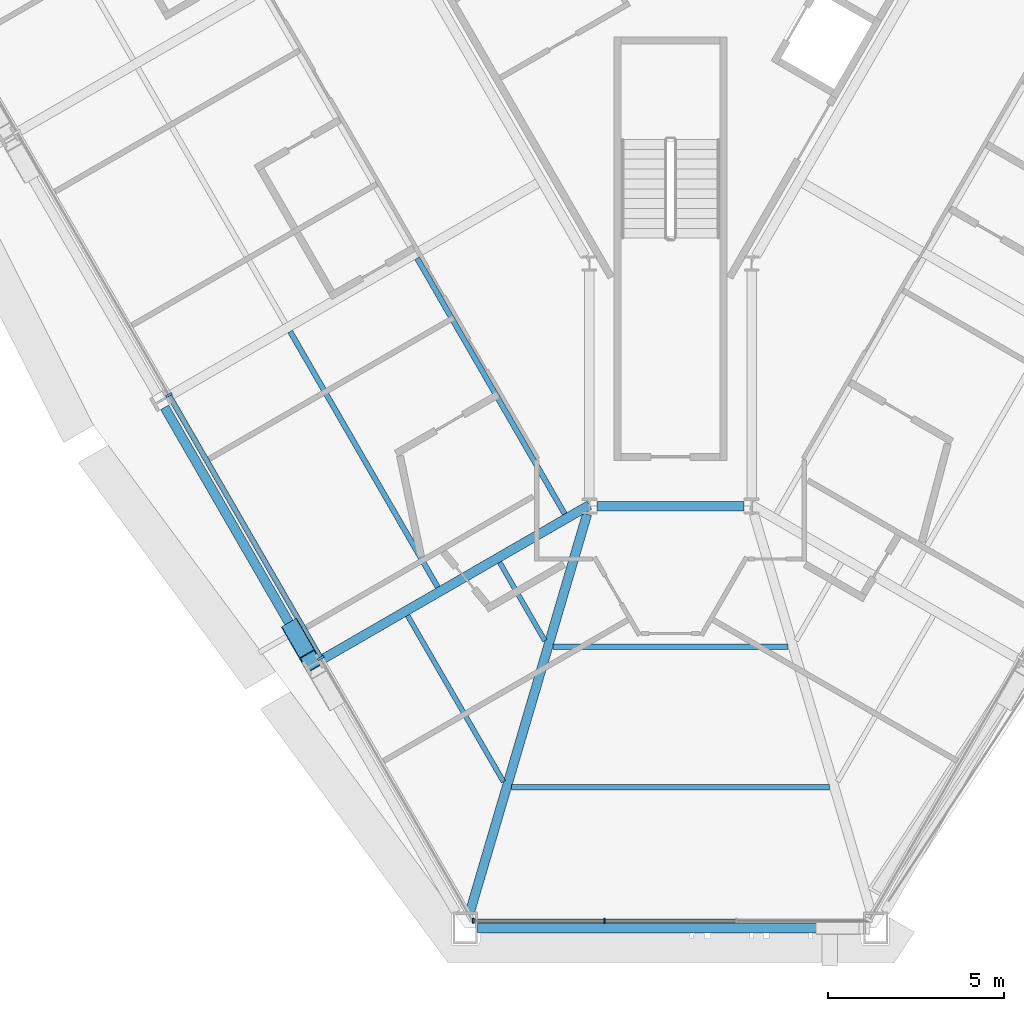
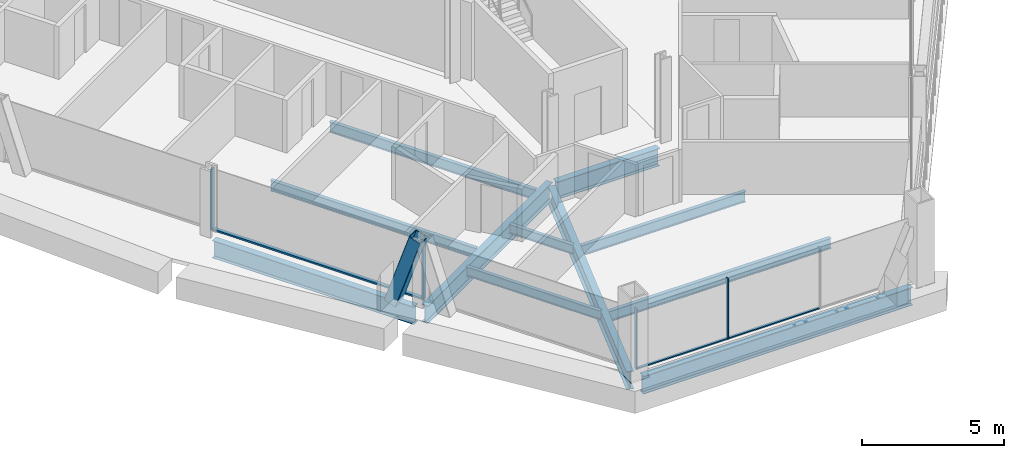
# One storey, part 3 of 18: 11 beams, 8 members, 2 elements without a shape of their own.
"""IFC4 building model written with IfcOpenShell, lengths in metres."""

from ifc_helpers import new_model, si_unit, direction, frame, origin, origin_2d, place, context, subcontext, project, spatial, rectangle, hollow_rectangle, i_section, extrude, material, material_profile, profile_set, type_object, element, aggregate, save


model = new_model("IFC4")

# Units and contexts
model_context = context("Model", 3, precision=1e-05, world=origin(), true_north=direction((0.0, 1.0)))
body_context = subcontext(model_context, "Body", "Model", "MODEL_VIEW")
ifc_project = project(units=[si_unit("LENGTHUNIT", "METRE"), si_unit("AREAUNIT", "SQUARE_METRE"), si_unit("VOLUMEUNIT", "CUBIC_METRE"), si_unit("PLANEANGLEUNIT", "RADIAN"), si_unit("MASSUNIT", "GRAM", prefix="KILO")], contexts=[model_context])

# Site, building, storey
site_placement = place(None, origin())
site = spatial("IfcSite", under=ifc_project, at=site_placement, CompositionType="ELEMENT")
building_placement = place(site_placement, origin())
building = spatial("IfcBuilding", under=site, at=building_placement, Name="Verrane Prism Tower", CompositionType="ELEMENT")
storey_placement = place(building_placement, frame((0.0, 0.0, 83.60009765625)))
storey = spatial("IfcBuildingStorey", under=building, at=storey_placement, Name="L19", CompositionType="ELEMENT", Elevation=83.60009765625)

# Beams
ifc_material_1 = material(Name="Steel A992", Category="steel")
ifc_material_profile_1 = material_profile(ifc_material_1, i_section(OverallWidth=0.2666015625, OverallDepth=0.76708984375, WebThickness=0.014892578125, FlangeThickness=0.023681640625, FilletRadius=0.0166015625, at=origin_2d()), Name="W30x124")
ifc_profile_set_1 = profile_set([ifc_material_profile_1], Name="Steel A992")
beam_type_1 = type_object("IfcBeamType", Name="Chamfer spandrel beam W30x124", PredefinedType="SPANDREL", material=ifc_profile_set_1)
beam_1_placement = place(storey_placement, frame((-5.469970703125, -33.260009765625, -0.543701171875), z_axis=(1.0, 0.0, 0.0), x_axis=(0.0, 1.0, 0.0)))
element("IfcBeam", 1, at=beam_1_placement, inside=storey, type_object=beam_type_1, Name="Chamfer spandrel beam L19", PredefinedType="SPANDREL", context=body_context, shape_type="SweptSolid", body=[
    extrude(i_section(OverallWidth=0.2666015625, OverallDepth=0.76708984375, WebThickness=0.014892578125, FlangeThickness=0.023681640625, FilletRadius=0.0166015625, at=origin_2d()), origin(), (0.0, 0.0, 1.0), 10.93994140625),
])
ifc_material_2 = material(Name="Steel A992", Category="steel")
ifc_material_profile_2 = material_profile(ifc_material_2, i_section(OverallWidth=0.2666015625, OverallDepth=0.7568359375, WebThickness=0.013916015625, FlangeThickness=0.019287109375, FilletRadius=0.0166015625, at=origin_2d()), Name="W30x108")
ifc_profile_set_2 = profile_set([ifc_material_profile_2], Name="Steel A992")
beam_type_2 = type_object("IfcBeamType", Name="Core ring girder W30x108", PredefinedType="BEAM", material=ifc_profile_set_2)
beam_2_placement = place(storey_placement, frame((-2.09033203125, -21.300048828125, -0.628662109375), z_axis=(1.0, 0.0, 0.0), x_axis=(0.0, 1.0, 0.0)))
element("IfcBeam", 2, at=beam_2_placement, inside=storey, type_object=beam_type_2, Name="Core ring girder L19", PredefinedType="BEAM", context=body_context, shape_type="SweptSolid", body=[
    extrude(i_section(OverallWidth=0.2666015625, OverallDepth=0.7568359375, WebThickness=0.013916015625, FlangeThickness=0.019287109375, FilletRadius=0.0166015625, at=origin_2d()), origin(), (0.0, 0.0, 1.0), 4.1806640625),
])
ifc_material_3 = material(Name="Steel A992", Category="steel")
ifc_material_profile_3 = material_profile(ifc_material_3, i_section(OverallWidth=0.2666015625, OverallDepth=0.76708984375, WebThickness=0.014892578125, FlangeThickness=0.023681640625, FilletRadius=0.0166015625, at=origin_2d()), Name="W30x124")
ifc_profile_set_3 = profile_set([ifc_material_profile_3], Name="Steel A992")
beam_type_3 = type_object("IfcBeamType", Name="Corner girder W30x124", PredefinedType="BEAM", material=ifc_profile_set_3)
beam_3_placement = place(storey_placement, frame((-5.6875, -32.809814453125, -0.603515625), z_axis=(0.282337147907, 0.959315242718, 0.0), x_axis=(-0.959315242718, 0.282337147907, 0.0)))
element("IfcBeam", 3, at=beam_3_placement, inside=storey, type_object=beam_type_3, Name="Corner girder L19", PredefinedType="BEAM", context=body_context, shape_type="SweptSolid", body=[
    extrude(i_section(OverallWidth=0.2666015625, OverallDepth=0.76708984375, WebThickness=0.014892578125, FlangeThickness=0.023681640625, FilletRadius=0.0166015625, at=origin_2d()), origin(), (0.0, 0.0, 1.0), 11.760986328125),
])

# Member
ifc_material_4 = material(Name="Steel A1085 Grade A", Category="steel")
ifc_material_profile_4 = material_profile(ifc_material_4, hollow_rectangle(XDim=0.508056640625, YDim=0.508056640625, WallThickness=0.025390625, InnerFilletRadius=0.0126953125, OuterFilletRadius=0.0380859375, at=origin_2d()), Name="HSS20x20x1")
ifc_profile_set_4 = profile_set([ifc_material_profile_4], Name="Steel A1085 Grade A")
member_type_1 = type_object("IfcMemberType", Name="Facade brace HSS20x20x1", PredefinedType="BRACE", material=ifc_profile_set_4)
member_1_placement = place(storey_placement, frame((-10.697998046875, -24.806640625, -0.24267578125), z_axis=(0.157308607487, -0.273534218108, 0.948911499316), x_axis=(0.866870102671, 0.498534076163, 0.0)))
element("IfcMember", 4, at=member_1_placement, inside=storey, type_object=member_type_1, Name="Facade brace SW4 L19", PredefinedType="BRACE", context=body_context, shape_type="SweptSolid", body=[
    extrude(hollow_rectangle(XDim=0.508056640625, YDim=0.508056640625, WallThickness=0.025390625, InnerFilletRadius=0.0126953125, OuterFilletRadius=0.0380859375, at=origin_2d()), origin(), (0.0, 0.0, 1.0), 3.232666015625),
])

# Beams
ifc_material_5 = material(Name="Steel A992", Category="steel")
ifc_material_profile_5 = material_profile(ifc_material_5, i_section(OverallWidth=0.140380859375, OverallDepth=0.40380859375, WebThickness=0.007080078125, FlangeThickness=0.01123046875, FilletRadius=0.01025390625, at=origin_2d()), Name="W16x31")
ifc_profile_set_5 = profile_set([ifc_material_profile_5], Name="Steel A992")
beam_type_4 = type_object("IfcBeamType", Name="Floor beam W16x31", PredefinedType="BEAM", material=ifc_profile_set_5)
beam_4_placement = place(storey_placement, frame((-3.5615234375, -25.11376953125, -0.362060546875), z_axis=(-0.500019079056, 0.866014388206, 0.0), x_axis=(-0.866014388206, -0.500019079056, 0.0)))
element("IfcBeam", 5, at=beam_4_placement, inside=storey, type_object=beam_type_4, Name="Floor beam L19", PredefinedType="BEAM", context=body_context, shape_type="SweptSolid", body=[
    extrude(i_section(OverallWidth=0.140380859375, OverallDepth=0.40380859375, WebThickness=0.007080078125, FlangeThickness=0.01123046875, FilletRadius=0.01025390625, at=origin_2d()), origin(), (0.0, 0.0, 1.0), 2.56494140625),
])
beam_5_placement = place(storey_placement, frame((-4.73681640625, -29.107177734375, -0.362060546875), z_axis=(-0.500003687357, 0.866023274877, 0.0), x_axis=(-0.866023274877, -0.500003687357, 0.0)))
element("IfcBeam", 6, at=beam_5_placement, inside=storey, type_object=beam_type_4, Name="Floor beam L19", PredefinedType="BEAM", context=body_context, shape_type="SweptSolid", body=[
    extrude(i_section(OverallWidth=0.140380859375, OverallDepth=0.40380859375, WebThickness=0.007080078125, FlangeThickness=0.01123046875, FilletRadius=0.01025390625, at=origin_2d()), origin(), (0.0, 0.0, 1.0), 5.435546875),
])
ifc_material_6 = material(Name="Steel A992", Category="steel")
ifc_material_profile_6 = material_profile(ifc_material_6, i_section(OverallWidth=0.15234375, OverallDepth=0.449462890625, WebThickness=0.007568359375, FlangeThickness=0.0107421875, FilletRadius=0.01025390625, at=origin_2d()), Name="W18x35")
ifc_profile_set_6 = profile_set([ifc_material_profile_6], Name="Steel A992")
beam_type_5 = type_object("IfcBeamType", Name="Floor beam W18x35", PredefinedType="BEAM", material=ifc_profile_set_6)
beam_6_placement = place(storey_placement, frame((-2.9990234375, -21.519287109375, -0.385009765625), z_axis=(-0.499998569178, 0.866026229868, 0.0), x_axis=(-0.866026229868, -0.499998569178, 0.0)))
element("IfcBeam", 7, at=beam_6_placement, inside=storey, type_object=beam_type_5, Name="Floor beam L19", PredefinedType="BEAM", context=body_context, shape_type="SweptSolid", body=[
    extrude(i_section(OverallWidth=0.15234375, OverallDepth=0.449462890625, WebThickness=0.007568359375, FlangeThickness=0.0107421875, FilletRadius=0.01025390625, at=origin_2d()), origin(), (0.0, 0.0, 1.0), 8.3681640625),
])
beam_7_placement = place(storey_placement, frame((-6.598388671875, -23.59716796875, -0.385009765625), z_axis=(-0.50000104701, 0.866024799292, 0.0), x_axis=(-0.866024799292, -0.50000104701, 0.0)))
element("IfcBeam", 8, at=beam_7_placement, inside=storey, type_object=beam_type_5, Name="Floor beam L19", PredefinedType="BEAM", context=body_context, shape_type="SweptSolid", body=[
    extrude(i_section(OverallWidth=0.15234375, OverallDepth=0.449462890625, WebThickness=0.007568359375, FlangeThickness=0.0107421875, FilletRadius=0.01025390625, at=origin_2d()), origin(), (0.0, 0.0, 1.0), 8.36962890625),
])
beam_8_placement = place(storey_placement, frame((-4.507568359375, -29.273193359375, -0.385009765625), z_axis=(1.0, 0.0, 0.0), x_axis=(0.0, 1.0, 0.0)))
element("IfcBeam", 9, at=beam_8_placement, inside=storey, type_object=beam_type_5, Name="Floor beam L19", PredefinedType="BEAM", context=body_context, shape_type="SweptSolid", body=[
    extrude(i_section(OverallWidth=0.15234375, OverallDepth=0.449462890625, WebThickness=0.007568359375, FlangeThickness=0.0107421875, FilletRadius=0.01025390625, at=origin_2d()), origin(), (0.0, 0.0, 1.0), 9.01513671875),
])
beam_9_placement = place(storey_placement, frame((-3.334228515625, -25.28662109375, -0.385009765625), z_axis=(1.0, 0.0, 0.0), x_axis=(0.0, 1.0, 0.0)))
element("IfcBeam", 10, at=beam_9_placement, inside=storey, type_object=beam_type_5, Name="Floor beam L19", PredefinedType="BEAM", context=body_context, shape_type="SweptSolid", body=[
    extrude(i_section(OverallWidth=0.15234375, OverallDepth=0.449462890625, WebThickness=0.007568359375, FlangeThickness=0.0107421875, FilletRadius=0.01025390625, at=origin_2d()), origin(), (0.0, 0.0, 1.0), 6.66845703125),
])

# Curtain wall, members
ifc_material_7 = material(Name="Aluminium framed insulated glazing", Category="aluminium")
curtain_wall_type_1 = type_object("IfcCurtainWallType", Name="Curtain wall CW-C 4200 module", PredefinedType="NOTDEFINED", material=ifc_material_7)
curtain_wall_1_placement = place(storey_placement, origin())
curtain_wall_1 = element("IfcCurtainWall", 11, at=curtain_wall_1_placement, inside=storey, type_object=curtain_wall_type_1, Name="Glazed curtain wall south corner L19", PredefinedType="NOTDEFINED")
ifc_material_8 = material(Name="Aluminium alloy 6063-T6", Category="aluminium")
ifc_material_profile_7 = material_profile(ifc_material_8, rectangle(XDim=0.139892578125, YDim=0.050048828125, at=origin_2d()), Name="Mullion 50x140 aluminium")
ifc_profile_set_7 = profile_set([ifc_material_profile_7], Name="Aluminium alloy 6063-T6")
member_type_2 = type_object("IfcMemberType", Name="Mullion 50x140 aluminium", PredefinedType="MULLION", material=ifc_profile_set_7)
member_2_placement = place(storey_placement, frame((-5.5888671875, -33.058349609375, 0.0), z_axis=(0.0, 0.0, 1.0), x_axis=(0.0, 1.0, 0.0)))
member_2 = element("IfcMember", 12, at=member_2_placement, type_object=member_type_2, Name="CW17.5 mullion 1", PredefinedType="MULLION", context=body_context, shape_type="SweptSolid", body=[
    extrude(rectangle(XDim=0.139892578125, YDim=0.050048828125, at=origin_2d()), origin(), (0.0, 0.0, 1.0), 2.61279296875),
])
member_3_placement = place(storey_placement, frame((-1.871337890625, -33.058349609375, 0.0), z_axis=(0.0, 0.0, 1.0), x_axis=(0.0, 1.0, 0.0)))
member_3 = element("IfcMember", 13, at=member_3_placement, type_object=member_type_2, Name="CW17.5 mullion 2", PredefinedType="MULLION", context=body_context, shape_type="SweptSolid", body=[
    extrude(rectangle(XDim=0.139892578125, YDim=0.050048828125, at=origin_2d()), origin(), (0.0, 0.0, 1.0), 2.61279296875),
])

ifc_material_9 = material(Name="Aluminium framed insulated glazing", Category="aluminium")
curtain_wall_type_2 = type_object("IfcCurtainWallType", Name="Curtain wall CW-A 8400 module", PredefinedType="NOTDEFINED", material=ifc_material_9)
curtain_wall_2_placement = place(storey_placement, origin())
curtain_wall_2 = element("IfcCurtainWall", 14, at=curtain_wall_2_placement, inside=storey, type_object=curtain_wall_type_2, Name="Glazed curtain wall south-west face L19", PredefinedType="NOTDEFINED")
ifc_material_10 = material(Name="Aluminium alloy 6063-T6", Category="aluminium")
ifc_material_profile_8 = material_profile(ifc_material_10, rectangle(XDim=0.199951171875, YDim=0.070068359375, at=origin_2d()), Name="Mullion 70x200 aluminium")
ifc_profile_set_8 = profile_set([ifc_material_profile_8], Name="Aluminium alloy 6063-T6")
member_type_3 = type_object("IfcMemberType", Name="Mullion 70x200 aluminium", PredefinedType="MULLION", material=ifc_profile_set_8)
member_4_placement = place(storey_placement, frame((-14.221435546875, -18.14990234375, 0.0), z_axis=(0.0, 0.0, 1.0), x_axis=(0.866025845387, 0.499999235121, 0.0)))
member_4 = element("IfcMember", 15, at=member_4_placement, type_object=member_type_3, Name="CW17.4 mullion 5", PredefinedType="MULLION", context=body_context, shape_type="SweptSolid", body=[
    extrude(rectangle(XDim=0.199951171875, YDim=0.070068359375, at=origin_2d()), origin(), (0.0, 0.0, 1.0), 2.61279296875),
])
member_5_placement = place(storey_placement, frame((-9.917724609375, -25.60400390625, 0.0), z_axis=(0.0, 0.0, 1.0), x_axis=(0.866025845387, 0.499999235121, 0.0)))
member_5 = element("IfcMember", 16, at=member_5_placement, type_object=member_type_3, Name="CW17.4 mullion 6", PredefinedType="MULLION", context=body_context, shape_type="SweptSolid", body=[
    extrude(rectangle(XDim=0.199951171875, YDim=0.070068359375, at=origin_2d()), origin(), (0.0, 0.0, 1.0), 2.61279296875),
])

# Beams
ifc_material_11 = material(Name="Steel A992", Category="steel")
ifc_material_profile_9 = material_profile(ifc_material_11, i_section(OverallWidth=0.2666015625, OverallDepth=0.76708984375, WebThickness=0.014892578125, FlangeThickness=0.023681640625, FilletRadius=0.0166015625, at=origin_2d()), Name="W30x124")
ifc_profile_set_9 = profile_set([ifc_material_profile_9], Name="Steel A992")
beam_type_6 = type_object("IfcBeamType", Name="Radial girder W30x124", PredefinedType="BEAM", material=ifc_profile_set_9)
beam_10_placement = place(storey_placement, frame((-9.914306640625, -25.66552734375, -0.603515625), z_axis=(0.866018191792, 0.50001249133, 0.0), x_axis=(-0.50001249133, 0.866018191792, 0.0)))
element("IfcBeam", 17, at=beam_10_placement, inside=storey, type_object=beam_type_6, Name="Radial girder L19", PredefinedType="BEAM", context=body_context, shape_type="SweptSolid", body=[
    extrude(i_section(OverallWidth=0.2666015625, OverallDepth=0.76708984375, WebThickness=0.014892578125, FlangeThickness=0.023681640625, FilletRadius=0.0166015625, at=origin_2d()), origin(), (0.0, 0.0, 1.0), 8.792236328125),
])
ifc_material_12 = material(Name="Steel A992", Category="steel")
ifc_material_profile_10 = material_profile(ifc_material_12, i_section(OverallWidth=0.2666015625, OverallDepth=0.7568359375, WebThickness=0.013916015625, FlangeThickness=0.019287109375, FilletRadius=0.0166015625, at=origin_2d()), Name="W30x108")
ifc_profile_set_10 = profile_set([ifc_material_profile_10], Name="Steel A992")
beam_type_7 = type_object("IfcBeamType", Name="Spandrel beam W30x108", PredefinedType="SPANDREL", material=ifc_profile_set_10)
beam_11_placement = place(storey_placement, frame((-14.342041015625, -18.4970703125, -0.53857421875), z_axis=(0.500125912756, -0.865952695816, 0.0), x_axis=(0.865952695816, 0.500125912756, 0.0)))
element("IfcBeam", 18, at=beam_11_placement, inside=storey, type_object=beam_type_7, Name="Spandrel beam L19", PredefinedType="SPANDREL", context=body_context, shape_type="SweptSolid", body=[
    extrude(i_section(OverallWidth=0.2666015625, OverallDepth=0.7568359375, WebThickness=0.013916015625, FlangeThickness=0.019287109375, FilletRadius=0.0166015625, at=origin_2d()), origin(), (0.0, 0.0, 1.0), 8.2060546875),
])

# Member
ifc_material_13 = material(Name="Aluminium alloy 6063-T6", Category="aluminium")
ifc_material_profile_11 = material_profile(ifc_material_13, rectangle(XDim=0.10009765625, YDim=0.050048828125, at=origin_2d()), Name="Transom 50x100 aluminium")
ifc_profile_set_11 = profile_set([ifc_material_profile_11], Name="Aluminium alloy 6063-T6")
member_type_4 = type_object("IfcMemberType", Name="Transom 50x100 aluminium", PredefinedType="USERDEFINED", material=ifc_profile_set_11)
member_6_placement = place(storey_placement, frame((-5.56396484375, -33.058349609375, 0.02490234375), z_axis=(1.0, 0.0, 0.0), x_axis=(0.0, 1.0, 0.0)))
member_6 = element("IfcMember", 19, at=member_6_placement, type_object=member_type_4, Name="CW17.5 transom 1", ObjectType="TRANSOM", PredefinedType="USERDEFINED", context=body_context, shape_type="SweptSolid", body=[
    extrude(rectangle(XDim=0.10009765625, YDim=0.050048828125, at=origin_2d()), origin(), (0.0, 0.0, 1.0), 3.667724609375),
])

member_7_placement = place(storey_placement, frame((-1.84619140625, -33.058349609375, 0.02490234375), z_axis=(1.0, 0.0, 0.0), x_axis=(0.0, 1.0, 0.0)))
member_7 = element("IfcMember", 20, at=member_7_placement, type_object=member_type_4, Name="CW17.5 transom 2", ObjectType="TRANSOM", PredefinedType="USERDEFINED", context=body_context, shape_type="SweptSolid", body=[
    extrude(rectangle(XDim=0.10009765625, YDim=0.050048828125, at=origin_2d()), origin(), (0.0, 0.0, 1.0), 3.6923828125),
])

aggregate(curtain_wall_1, [member_2, member_3, member_6, member_7])

ifc_material_14 = material(Name="Aluminium alloy 6063-T6", Category="aluminium")
ifc_material_profile_12 = material_profile(ifc_material_14, rectangle(XDim=0.14990234375, YDim=0.070068359375, at=origin_2d()), Name="Transom 70x150 aluminium")
ifc_profile_set_12 = profile_set([ifc_material_profile_12], Name="Aluminium alloy 6063-T6")
member_type_5 = type_object("IfcMemberType", Name="Transom 70x150 aluminium", PredefinedType="USERDEFINED", material=ifc_profile_set_12)
member_8_placement = place(storey_placement, frame((-14.203857421875, -18.18017578125, 0.034912109375), z_axis=(0.50001124802, -0.866018909639, 0.0), x_axis=(0.866018909639, 0.50001124802, 0.0)))
member_8 = element("IfcMember", 21, at=member_8_placement, type_object=member_type_5, Name="CW17.4 transom 5", ObjectType="TRANSOM", PredefinedType="USERDEFINED", context=body_context, shape_type="SweptSolid", body=[
    extrude(rectangle(XDim=0.14990234375, YDim=0.070068359375, at=origin_2d()), origin(), (0.0, 0.0, 1.0), 8.537353515625),
])

aggregate(curtain_wall_2, [member_4, member_5, member_8])

save(model, "model.ifc")
